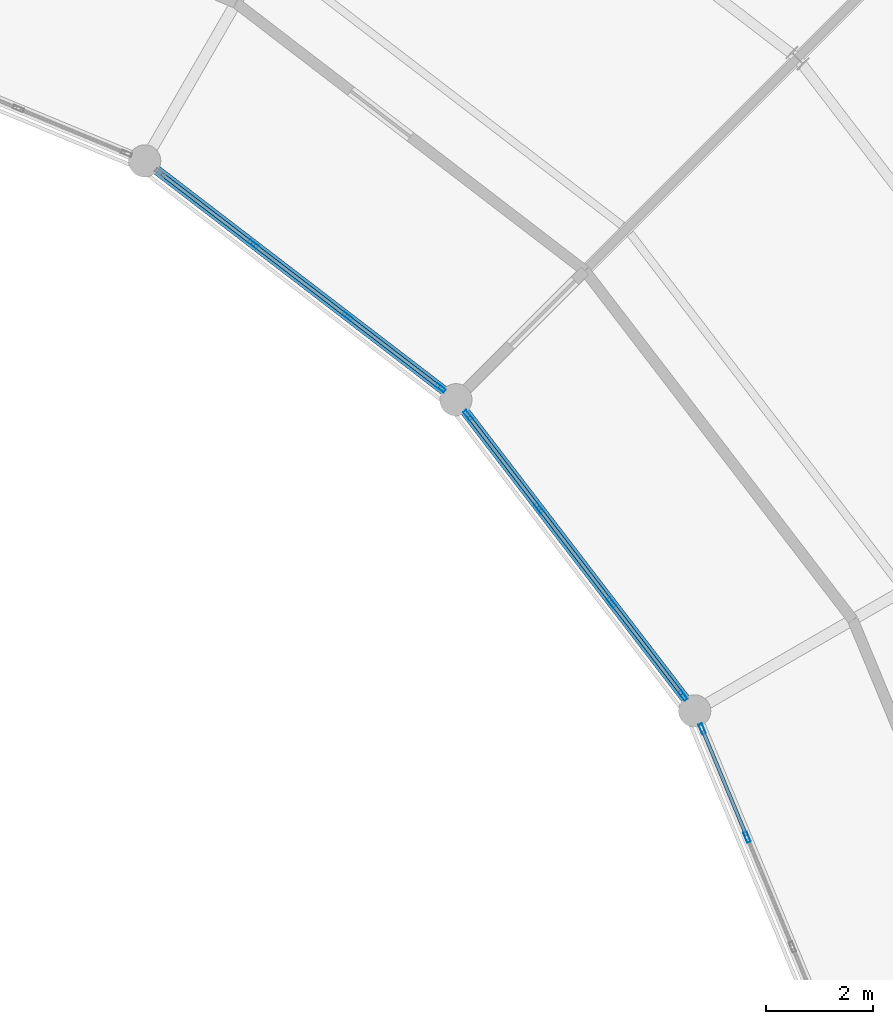
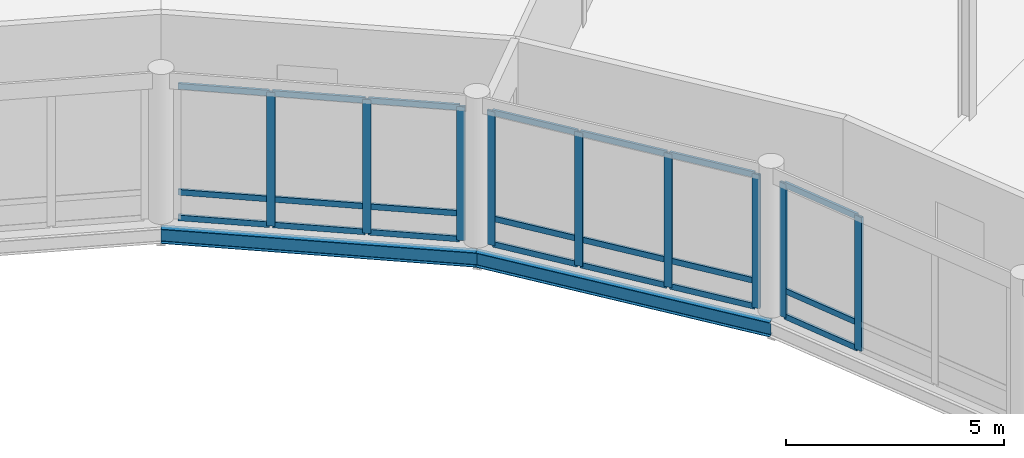
# One storey, part 68 of 170: 30 members, 2 beams, 3 elements without a shape of their own.
"""IFC4 building model written with IfcOpenShell, lengths in metres."""

from ifc_helpers import new_model, si_unit, direction, frame, origin, origin_2d, place, context, subcontext, project, spatial, hollow_rectangle, i_section, extrude, material, material_profile, profile_set, type_object, element, aggregate, save


model = new_model("IFC4")

# Units and contexts
model_context = context("Model", 3, precision=1e-05, world=origin(), true_north=direction((0.0, 1.0)))
body_context = subcontext(model_context, "Body", "Model", "MODEL_VIEW")
ifc_project = project(units=[si_unit("LENGTHUNIT", "METRE"), si_unit("AREAUNIT", "SQUARE_METRE"), si_unit("VOLUMEUNIT", "CUBIC_METRE"), si_unit("PLANEANGLEUNIT", "RADIAN"), si_unit("MASSUNIT", "GRAM", prefix="KILO")], contexts=[model_context])

# Site, building, storey
site_placement = place(None, origin())
site = spatial("IfcSite", under=ifc_project, at=site_placement, CompositionType="ELEMENT")
building_placement = place(site_placement, origin())
building = spatial("IfcBuilding", under=site, at=building_placement, Name="Vondelvale Polytechnic", CompositionType="ELEMENT")
storey_placement = place(building_placement, frame((0.0, 0.0, 5.39990234375)))
storey = spatial("IfcBuildingStorey", under=building, at=storey_placement, Name="L01", CompositionType="ELEMENT", Elevation=5.39990234375)

# Beams
ifc_material_1 = material(Name="Steel 300PLUS (fy = 300 MPa)", Category="steel")
ifc_material_profile_1 = material_profile(ifc_material_1, i_section(OverallWidth=0.177978515625, OverallDepth=0.406005859375, WebThickness=0.0078125, FlangeThickness=0.0126953125, FilletRadius=0.011474609375, at=origin_2d()), Name="410UB59.7")
ifc_profile_set_1 = profile_set([ifc_material_profile_1], Name="Steel 300PLUS (fy = 300 MPa)")
beam_type = type_object("IfcBeamType", Name="BM-UB410", PredefinedType="BEAM", material=ifc_profile_set_1)
for number, where, z_axis, x_axis, name in (
    (1, (126.248779296875, 86.0, -0.48291015625), (-0.608754744979, 0.793358469083, 0.0), (-0.793358469083, -0.608754744979, 0.0), "L01 RB B-14"),
    (2, (121.799072265625, 91.799072265625, -0.48291015625), (-0.793358469083, 0.608754744979, 0.0), (-0.608754744979, -0.793358469083, 0.0), "L01 RB B-14"),
):
    element("IfcBeam", number, at=place(storey_placement, frame(where, z_axis=z_axis, x_axis=x_axis)), inside=storey, type_object=beam_type, Name=name, PredefinedType="BEAM", context=body_context, shape_type="SweptSolid", body=[
        extrude(i_section(OverallWidth=0.177978515625, OverallDepth=0.406005859375, WebThickness=0.0078125, FlangeThickness=0.0126953125, FilletRadius=0.011474609375, at=origin_2d()), origin(), (0.0, 0.0, 1.0), 7.3095703125),
    ])

# Curtain wall, members
ifc_material_2 = material(Name="Anodised extruded aluminium 6063-T6", Category="aluminium")
curtain_wall_type = type_object("IfcCurtainWallType", Name="CW-RING-CLOISTER", PredefinedType="NOTDEFINED", material=ifc_material_2)
curtain_wall_1_placement = place(storey_placement, origin())
curtain_wall_1 = element("IfcCurtainWall", 3, at=curtain_wall_1_placement, inside=storey, type_object=curtain_wall_type, Name="L01 architectural curtain wall CW-03-077", PredefinedType="NOTDEFINED")
ifc_material_profile_2 = material_profile(ifc_material_2, hollow_rectangle(XDim=0.070068359375, YDim=0.199951171875, WallThickness=0.00390625, at=origin_2d()), Name="CW-MUL-200x70")
ifc_profile_set_2 = profile_set([ifc_material_profile_2], Name="Anodised extruded aluminium 6063-T6")
member_type_1 = type_object("IfcMemberType", Name="CW-MUL-70x200", PredefinedType="MULLION", material=ifc_profile_set_2)
member_1_placement = place(storey_placement, frame((127.22314453125, 83.647216796875, 0.0), z_axis=(0.0, 0.0, 1.0), x_axis=(-0.923881562419, -0.382678531697, 0.0)))
member_1 = element("IfcMember", 4, at=member_1_placement, type_object=member_type_1, Name="CW-03-077 mullion 3", PredefinedType="MULLION", context=body_context, shape_type="SweptSolid", body=[
    extrude(hollow_rectangle(XDim=0.070068359375, YDim=0.199951171875, WallThickness=0.00390625, at=origin_2d()), origin(), (0.0, 0.0, 1.0), 3.75),
])
member_2_placement = place(storey_placement, frame((126.388427734375, 85.662841796875, 0.0), z_axis=(0.0, 0.0, 1.0), x_axis=(-0.923881562419, -0.382678531697, 0.0)))
member_2 = element("IfcMember", 5, at=member_2_placement, type_object=member_type_1, Name="CW-03-077 mullion 4", PredefinedType="MULLION", context=body_context, shape_type="SweptSolid", body=[
    extrude(hollow_rectangle(XDim=0.070068359375, YDim=0.199951171875, WallThickness=0.00390625, at=origin_2d()), origin(), (0.0, 0.0, 1.0), 3.75),
])

curtain_wall_2_placement = place(storey_placement, origin())
curtain_wall_2 = element("IfcCurtainWall", 6, at=curtain_wall_2_placement, inside=storey, type_object=curtain_wall_type, Name="L01 architectural curtain wall CW-03-089", PredefinedType="NOTDEFINED")
member_3_placement = place(storey_placement, frame((126.02734375, 86.28857421875, 0.0), z_axis=(0.0, 0.0, 1.0), x_axis=(-0.793363861089, -0.608747717793, 0.0)))
member_3 = element("IfcMember", 7, at=member_3_placement, type_object=member_type_1, Name="CW-03-089 mullion 1", PredefinedType="MULLION", context=body_context, shape_type="SweptSolid", body=[
    extrude(hollow_rectangle(XDim=0.070068359375, YDim=0.199951171875, WallThickness=0.00390625, at=origin_2d()), origin(), (0.0, 0.0, 1.0), 3.75),
])
member_4_placement = place(storey_placement, frame((124.69873046875, 88.02001953125, 0.0), z_axis=(0.0, 0.0, 1.0), x_axis=(-0.793363861089, -0.608747717793, 0.0)))
member_4 = element("IfcMember", 8, at=member_4_placement, type_object=member_type_1, Name="CW-03-089 mullion 2", PredefinedType="MULLION", context=body_context, shape_type="SweptSolid", body=[
    extrude(hollow_rectangle(XDim=0.070068359375, YDim=0.199951171875, WallThickness=0.00390625, at=origin_2d()), origin(), (0.0, 0.0, 1.0), 3.75),
])
member_5_placement = place(storey_placement, frame((123.348876953125, 89.779052734375, 0.0), z_axis=(0.0, 0.0, 1.0), x_axis=(-0.793363861089, -0.608747717793, 0.0)))
member_5 = element("IfcMember", 9, at=member_5_placement, type_object=member_type_1, Name="CW-03-089 mullion 3", PredefinedType="MULLION", context=body_context, shape_type="SweptSolid", body=[
    extrude(hollow_rectangle(XDim=0.070068359375, YDim=0.199951171875, WallThickness=0.00390625, at=origin_2d()), origin(), (0.0, 0.0, 1.0), 3.75),
])
member_6_placement = place(storey_placement, frame((122.0205078125, 91.510498046875, 0.0), z_axis=(0.0, 0.0, 1.0), x_axis=(-0.793363861089, -0.608747717793, 0.0)))
member_6 = element("IfcMember", 10, at=member_6_placement, type_object=member_type_1, Name="CW-03-089 mullion 4", PredefinedType="MULLION", context=body_context, shape_type="SweptSolid", body=[
    extrude(hollow_rectangle(XDim=0.070068359375, YDim=0.199951171875, WallThickness=0.00390625, at=origin_2d()), origin(), (0.0, 0.0, 1.0), 3.75),
])

curtain_wall_3_placement = place(storey_placement, origin())
curtain_wall_3 = element("IfcCurtainWall", 11, at=curtain_wall_3_placement, inside=storey, type_object=curtain_wall_type, Name="L01 architectural curtain wall CW-03-100", PredefinedType="NOTDEFINED")
member_7_placement = place(storey_placement, frame((121.510498046875, 92.0205078125, 0.0), z_axis=(0.0, 0.0, 1.0), x_axis=(-0.608747717793, -0.793363861089, 0.0)))
member_7 = element("IfcMember", 12, at=member_7_placement, type_object=member_type_1, Name="CW-03-100 mullion 1", PredefinedType="MULLION", context=body_context, shape_type="SweptSolid", body=[
    extrude(hollow_rectangle(XDim=0.070068359375, YDim=0.199951171875, WallThickness=0.00390625, at=origin_2d()), origin(), (0.0, 0.0, 1.0), 3.75),
])
member_8_placement = place(storey_placement, frame((119.779052734375, 93.348876953125, 0.0), z_axis=(0.0, 0.0, 1.0), x_axis=(-0.608747717793, -0.793363861089, 0.0)))
member_8 = element("IfcMember", 13, at=member_8_placement, type_object=member_type_1, Name="CW-03-100 mullion 2", PredefinedType="MULLION", context=body_context, shape_type="SweptSolid", body=[
    extrude(hollow_rectangle(XDim=0.070068359375, YDim=0.199951171875, WallThickness=0.00390625, at=origin_2d()), origin(), (0.0, 0.0, 1.0), 3.75),
])
member_9_placement = place(storey_placement, frame((118.02001953125, 94.69873046875, 0.0), z_axis=(0.0, 0.0, 1.0), x_axis=(-0.608747717793, -0.793363861089, 0.0)))
member_9 = element("IfcMember", 14, at=member_9_placement, type_object=member_type_1, Name="CW-03-100 mullion 3", PredefinedType="MULLION", context=body_context, shape_type="SweptSolid", body=[
    extrude(hollow_rectangle(XDim=0.070068359375, YDim=0.199951171875, WallThickness=0.00390625, at=origin_2d()), origin(), (0.0, 0.0, 1.0), 3.75),
])

# Member
ifc_material_profile_3 = material_profile(ifc_material_2, hollow_rectangle(XDim=0.06494140625, YDim=0.159912109375, WallThickness=0.00341796875, at=origin_2d()), Name="CW-TRN-160x65")
ifc_profile_set_3 = profile_set([ifc_material_profile_3], Name="Anodised extruded aluminium 6063-T6")
member_type_2 = type_object("IfcMemberType", Name="CW-TRN-70x160", PredefinedType="USERDEFINED", material=ifc_profile_set_3)
member_10_placement = place(storey_placement, frame((127.209716796875, 83.6796875, 0.03271484375), z_axis=(-0.382627532503, 0.923902685011, 0.0), x_axis=(-0.923902685011, -0.382627532503, 0.0)))
member_10 = element("IfcMember", 15, at=member_10_placement, type_object=member_type_2, Name="CW-03-077 transom 3.1", ObjectType="TRANSOM", PredefinedType="USERDEFINED", context=body_context, shape_type="SweptSolid", body=[
    extrude(hollow_rectangle(XDim=0.06494140625, YDim=0.159912109375, WallThickness=0.00341796875, at=origin_2d()), origin(), (0.0, 0.0, 1.0), 2.111328125),
])

member_11_placement = place(storey_placement, frame((127.209716796875, 83.6796875, 0.75), z_axis=(-0.382627532503, 0.923902685011, 0.0), x_axis=(-0.923902685011, -0.382627532503, 0.0)))
member_11 = element("IfcMember", 16, at=member_11_placement, type_object=member_type_2, Name="CW-03-077 transom 3.2", ObjectType="TRANSOM", PredefinedType="USERDEFINED", context=body_context, shape_type="SweptSolid", body=[
    extrude(hollow_rectangle(XDim=0.06494140625, YDim=0.159912109375, WallThickness=0.00341796875, at=origin_2d()), origin(), (0.0, 0.0, 1.0), 2.111328125),
])

member_12_placement = place(storey_placement, frame((127.209716796875, 83.6796875, 3.717529296875), z_axis=(-0.382627532503, 0.923902685011, 0.0), x_axis=(-0.923902685011, -0.382627532503, 0.0)))
member_12 = element("IfcMember", 17, at=member_12_placement, type_object=member_type_2, Name="CW-03-077 transom 3.3", ObjectType="TRANSOM", PredefinedType="USERDEFINED", context=body_context, shape_type="SweptSolid", body=[
    extrude(hollow_rectangle(XDim=0.06494140625, YDim=0.159912109375, WallThickness=0.00341796875, at=origin_2d()), origin(), (0.0, 0.0, 1.0), 2.111328125),
])

aggregate(curtain_wall_1, [member_1, member_2, member_10, member_11, member_12])

member_13_placement = place(storey_placement, frame((126.006103515625, 86.316162109375, 0.03271484375), z_axis=(-0.608783266169, 0.793336583571, 0.0), x_axis=(-0.793336583571, -0.608783266169, 0.0)))
member_13 = element("IfcMember", 18, at=member_13_placement, type_object=member_type_2, Name="CW-03-089 transom 1.1", ObjectType="TRANSOM", PredefinedType="USERDEFINED", context=body_context, shape_type="SweptSolid", body=[
    extrude(hollow_rectangle(XDim=0.06494140625, YDim=0.159912109375, WallThickness=0.00341796875, at=origin_2d()), origin(), (0.0, 0.0, 1.0), 2.112548828125),
])

member_14_placement = place(storey_placement, frame((126.006103515625, 86.316162109375, 0.75), z_axis=(-0.608783266169, 0.793336583571, 0.0), x_axis=(-0.793336583571, -0.608783266169, 0.0)))
member_14 = element("IfcMember", 19, at=member_14_placement, type_object=member_type_2, Name="CW-03-089 transom 1.2", ObjectType="TRANSOM", PredefinedType="USERDEFINED", context=body_context, shape_type="SweptSolid", body=[
    extrude(hollow_rectangle(XDim=0.06494140625, YDim=0.159912109375, WallThickness=0.00341796875, at=origin_2d()), origin(), (0.0, 0.0, 1.0), 2.112548828125),
])

member_15_placement = place(storey_placement, frame((126.006103515625, 86.316162109375, 3.717529296875), z_axis=(-0.608783266169, 0.793336583571, 0.0), x_axis=(-0.793336583571, -0.608783266169, 0.0)))
member_15 = element("IfcMember", 20, at=member_15_placement, type_object=member_type_2, Name="CW-03-089 transom 1.3", ObjectType="TRANSOM", PredefinedType="USERDEFINED", context=body_context, shape_type="SweptSolid", body=[
    extrude(hollow_rectangle(XDim=0.06494140625, YDim=0.159912109375, WallThickness=0.00341796875, at=origin_2d()), origin(), (0.0, 0.0, 1.0), 2.112548828125),
])

member_16_placement = place(storey_placement, frame((124.677490234375, 88.047607421875, 0.03271484375), z_axis=(-0.608732251269, 0.793375728306, 0.0), x_axis=(-0.793375728306, -0.608732251269, 0.0)))
member_16 = element("IfcMember", 21, at=member_16_placement, type_object=member_type_2, Name="CW-03-089 transom 2.1", ObjectType="TRANSOM", PredefinedType="USERDEFINED", context=body_context, shape_type="SweptSolid", body=[
    extrude(hollow_rectangle(XDim=0.06494140625, YDim=0.159912109375, WallThickness=0.00341796875, at=origin_2d()), origin(), (0.0, 0.0, 1.0), 2.147216796875),
])

member_17_placement = place(storey_placement, frame((124.677490234375, 88.047607421875, 0.75), z_axis=(-0.608732251269, 0.793375728306, 0.0), x_axis=(-0.793375728306, -0.608732251269, 0.0)))
member_17 = element("IfcMember", 22, at=member_17_placement, type_object=member_type_2, Name="CW-03-089 transom 2.2", ObjectType="TRANSOM", PredefinedType="USERDEFINED", context=body_context, shape_type="SweptSolid", body=[
    extrude(hollow_rectangle(XDim=0.06494140625, YDim=0.159912109375, WallThickness=0.00341796875, at=origin_2d()), origin(), (0.0, 0.0, 1.0), 2.147216796875),
])

member_18_placement = place(storey_placement, frame((124.677490234375, 88.047607421875, 3.717529296875), z_axis=(-0.608732251269, 0.793375728306, 0.0), x_axis=(-0.793375728306, -0.608732251269, 0.0)))
member_18 = element("IfcMember", 23, at=member_18_placement, type_object=member_type_2, Name="CW-03-089 transom 2.3", ObjectType="TRANSOM", PredefinedType="USERDEFINED", context=body_context, shape_type="SweptSolid", body=[
    extrude(hollow_rectangle(XDim=0.06494140625, YDim=0.159912109375, WallThickness=0.00341796875, at=origin_2d()), origin(), (0.0, 0.0, 1.0), 2.147216796875),
])

member_19_placement = place(storey_placement, frame((123.32763671875, 89.806884765625, 0.03271484375), z_axis=(-0.608766343448, 0.793349569285, 0.0), x_axis=(-0.793349569285, -0.608766343448, 0.0)))
member_19 = element("IfcMember", 24, at=member_19_placement, type_object=member_type_2, Name="CW-03-089 transom 3.1", ObjectType="TRANSOM", PredefinedType="USERDEFINED", context=body_context, shape_type="SweptSolid", body=[
    extrude(hollow_rectangle(XDim=0.06494140625, YDim=0.159912109375, WallThickness=0.00341796875, at=origin_2d()), origin(), (0.0, 0.0, 1.0), 2.1123046875),
])

member_20_placement = place(storey_placement, frame((123.32763671875, 89.806884765625, 0.75), z_axis=(-0.608766343448, 0.793349569285, 0.0), x_axis=(-0.793349569285, -0.608766343448, 0.0)))
member_20 = element("IfcMember", 25, at=member_20_placement, type_object=member_type_2, Name="CW-03-089 transom 3.2", ObjectType="TRANSOM", PredefinedType="USERDEFINED", context=body_context, shape_type="SweptSolid", body=[
    extrude(hollow_rectangle(XDim=0.06494140625, YDim=0.159912109375, WallThickness=0.00341796875, at=origin_2d()), origin(), (0.0, 0.0, 1.0), 2.1123046875),
])

member_21_placement = place(storey_placement, frame((123.32763671875, 89.806884765625, 3.717529296875), z_axis=(-0.608766343448, 0.793349569285, 0.0), x_axis=(-0.793349569285, -0.608766343448, 0.0)))
member_21 = element("IfcMember", 26, at=member_21_placement, type_object=member_type_2, Name="CW-03-089 transom 3.3", ObjectType="TRANSOM", PredefinedType="USERDEFINED", context=body_context, shape_type="SweptSolid", body=[
    extrude(hollow_rectangle(XDim=0.06494140625, YDim=0.159912109375, WallThickness=0.00341796875, at=origin_2d()), origin(), (0.0, 0.0, 1.0), 2.1123046875),
])

aggregate(curtain_wall_2, [member_3, member_4, member_5, member_6, member_13, member_14, member_15, member_16, member_17, member_18, member_19, member_20, member_21])

member_22_placement = place(storey_placement, frame((121.482666015625, 92.041748046875, 0.03271484375), z_axis=(-0.793349569285, 0.608766343448, 0.0), x_axis=(-0.608766343448, -0.793349569285, 0.0)))
member_22 = element("IfcMember", 27, at=member_22_placement, type_object=member_type_2, Name="CW-03-100 transom 1.1", ObjectType="TRANSOM", PredefinedType="USERDEFINED", context=body_context, shape_type="SweptSolid", body=[
    extrude(hollow_rectangle(XDim=0.06494140625, YDim=0.159912109375, WallThickness=0.00341796875, at=origin_2d()), origin(), (0.0, 0.0, 1.0), 2.1123046875),
])

member_23_placement = place(storey_placement, frame((121.482666015625, 92.041748046875, 0.75), z_axis=(-0.793349569285, 0.608766343448, 0.0), x_axis=(-0.608766343448, -0.793349569285, 0.0)))
member_23 = element("IfcMember", 28, at=member_23_placement, type_object=member_type_2, Name="CW-03-100 transom 1.2", ObjectType="TRANSOM", PredefinedType="USERDEFINED", context=body_context, shape_type="SweptSolid", body=[
    extrude(hollow_rectangle(XDim=0.06494140625, YDim=0.159912109375, WallThickness=0.00341796875, at=origin_2d()), origin(), (0.0, 0.0, 1.0), 2.1123046875),
])

member_24_placement = place(storey_placement, frame((121.482666015625, 92.041748046875, 3.717529296875), z_axis=(-0.793349569285, 0.608766343448, 0.0), x_axis=(-0.608766343448, -0.793349569285, 0.0)))
member_24 = element("IfcMember", 29, at=member_24_placement, type_object=member_type_2, Name="CW-03-100 transom 1.3", ObjectType="TRANSOM", PredefinedType="USERDEFINED", context=body_context, shape_type="SweptSolid", body=[
    extrude(hollow_rectangle(XDim=0.06494140625, YDim=0.159912109375, WallThickness=0.00341796875, at=origin_2d()), origin(), (0.0, 0.0, 1.0), 2.1123046875),
])

member_25_placement = place(storey_placement, frame((119.751220703125, 93.370361328125, 0.03271484375), z_axis=(-0.793375728306, 0.608732251269, 0.0), x_axis=(-0.608732251269, -0.793375728306, 0.0)))
member_25 = element("IfcMember", 30, at=member_25_placement, type_object=member_type_2, Name="CW-03-100 transom 2.1", ObjectType="TRANSOM", PredefinedType="USERDEFINED", context=body_context, shape_type="SweptSolid", body=[
    extrude(hollow_rectangle(XDim=0.06494140625, YDim=0.159912109375, WallThickness=0.00341796875, at=origin_2d()), origin(), (0.0, 0.0, 1.0), 2.147216796875),
])

member_26_placement = place(storey_placement, frame((119.751220703125, 93.370361328125, 0.75), z_axis=(-0.793375728306, 0.608732251269, 0.0), x_axis=(-0.608732251269, -0.793375728306, 0.0)))
member_26 = element("IfcMember", 31, at=member_26_placement, type_object=member_type_2, Name="CW-03-100 transom 2.2", ObjectType="TRANSOM", PredefinedType="USERDEFINED", context=body_context, shape_type="SweptSolid", body=[
    extrude(hollow_rectangle(XDim=0.06494140625, YDim=0.159912109375, WallThickness=0.00341796875, at=origin_2d()), origin(), (0.0, 0.0, 1.0), 2.147216796875),
])

member_27_placement = place(storey_placement, frame((119.751220703125, 93.370361328125, 3.717529296875), z_axis=(-0.793375728306, 0.608732251269, 0.0), x_axis=(-0.608732251269, -0.793375728306, 0.0)))
member_27 = element("IfcMember", 32, at=member_27_placement, type_object=member_type_2, Name="CW-03-100 transom 2.3", ObjectType="TRANSOM", PredefinedType="USERDEFINED", context=body_context, shape_type="SweptSolid", body=[
    extrude(hollow_rectangle(XDim=0.06494140625, YDim=0.159912109375, WallThickness=0.00341796875, at=origin_2d()), origin(), (0.0, 0.0, 1.0), 2.147216796875),
])

member_28_placement = place(storey_placement, frame((117.9921875, 94.719970703125, 0.03271484375), z_axis=(-0.793336583571, 0.608783266169, 0.0), x_axis=(-0.608783266169, -0.793336583571, 0.0)))
member_28 = element("IfcMember", 33, at=member_28_placement, type_object=member_type_2, Name="CW-03-100 transom 3.1", ObjectType="TRANSOM", PredefinedType="USERDEFINED", context=body_context, shape_type="SweptSolid", body=[
    extrude(hollow_rectangle(XDim=0.06494140625, YDim=0.159912109375, WallThickness=0.00341796875, at=origin_2d()), origin(), (0.0, 0.0, 1.0), 2.112548828125),
])

member_29_placement = place(storey_placement, frame((117.9921875, 94.719970703125, 0.75), z_axis=(-0.793336583571, 0.608783266169, 0.0), x_axis=(-0.608783266169, -0.793336583571, 0.0)))
member_29 = element("IfcMember", 34, at=member_29_placement, type_object=member_type_2, Name="CW-03-100 transom 3.2", ObjectType="TRANSOM", PredefinedType="USERDEFINED", context=body_context, shape_type="SweptSolid", body=[
    extrude(hollow_rectangle(XDim=0.06494140625, YDim=0.159912109375, WallThickness=0.00341796875, at=origin_2d()), origin(), (0.0, 0.0, 1.0), 2.112548828125),
])

member_30_placement = place(storey_placement, frame((117.9921875, 94.719970703125, 3.717529296875), z_axis=(-0.793336583571, 0.608783266169, 0.0), x_axis=(-0.608783266169, -0.793336583571, 0.0)))
member_30 = element("IfcMember", 35, at=member_30_placement, type_object=member_type_2, Name="CW-03-100 transom 3.3", ObjectType="TRANSOM", PredefinedType="USERDEFINED", context=body_context, shape_type="SweptSolid", body=[
    extrude(hollow_rectangle(XDim=0.06494140625, YDim=0.159912109375, WallThickness=0.00341796875, at=origin_2d()), origin(), (0.0, 0.0, 1.0), 2.112548828125),
])

aggregate(curtain_wall_3, [member_7, member_8, member_9, member_22, member_23, member_24, member_25, member_26, member_27, member_28, member_29, member_30])

save(model, "model.ifc")
